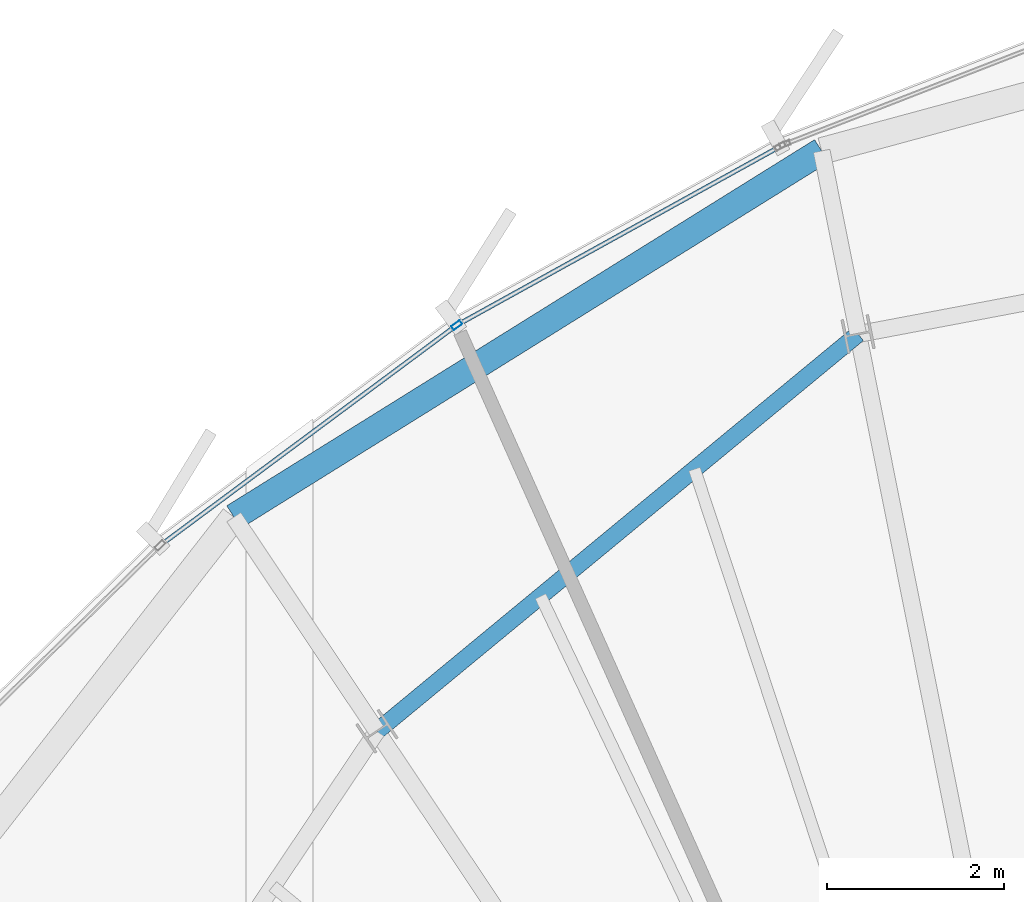
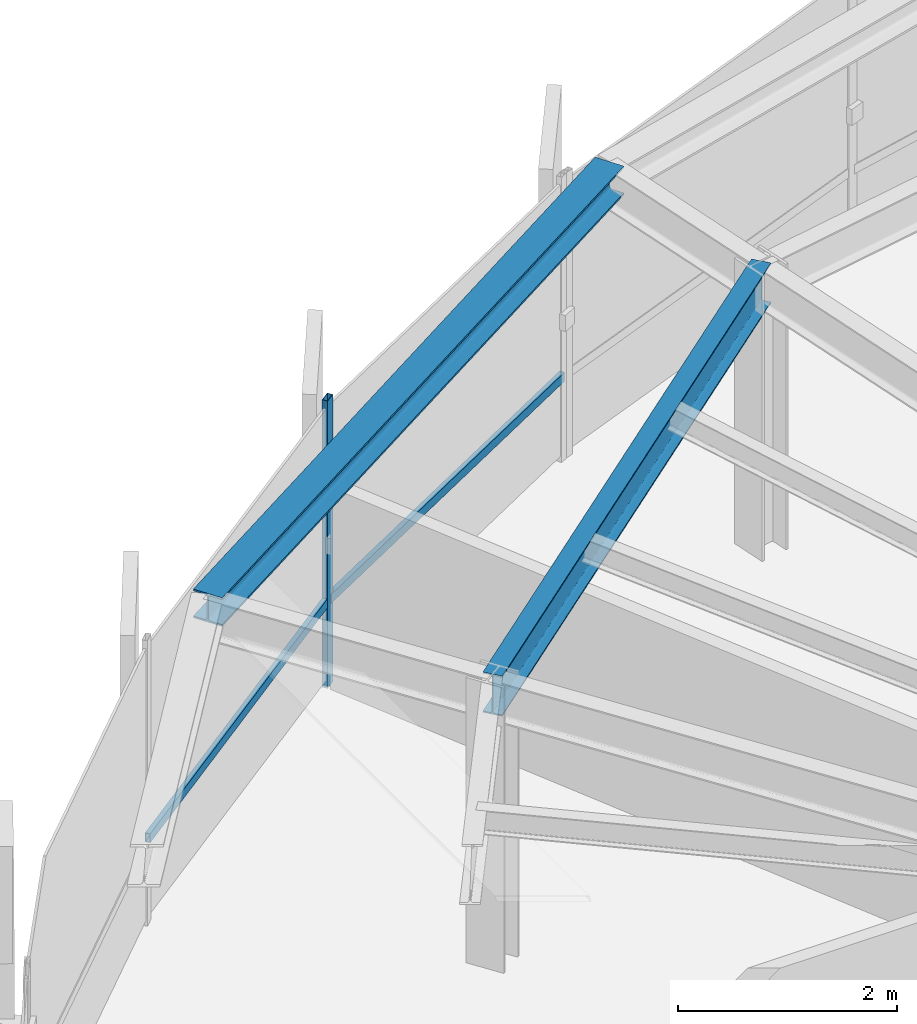
# One storey, part 20 of 34: 3 members, 2 beams, 1 element without a shape of its own.
"""IFC4 building model written with IfcOpenShell, lengths in metres."""

from ifc_helpers import new_model, si_unit, direction, frame, origin, origin_2d, place, context, subcontext, project, spatial, hollow_rectangle, i_section, extrude, source, transform, mapped, material, layer, layer_set, material_profile, profile_set, type_object, element, aggregate, save


model = new_model("IFC4")

# Units and contexts
model_context = context("Model", 3, precision=1e-05, world=origin(), true_north=direction((0.0, 1.0)))
body_context = subcontext(model_context, "Body", "Model", "MODEL_VIEW")
ifc_project = project(units=[si_unit("LENGTHUNIT", "METRE"), si_unit("AREAUNIT", "SQUARE_METRE"), si_unit("VOLUMEUNIT", "CUBIC_METRE"), si_unit("PLANEANGLEUNIT", "RADIAN"), si_unit("MASSUNIT", "GRAM", prefix="KILO"), si_unit("THERMODYNAMICTEMPERATUREUNIT", "KELVIN")], contexts=[model_context])

# Site, building, storey
site_placement = place(None, origin())
site = spatial("IfcSite", under=ifc_project, at=site_placement, CompositionType="ELEMENT")
building_placement = place(site_placement, origin())
building = spatial("IfcBuilding", under=site, at=building_placement, Name="Kethvar Cultural Tower", CompositionType="ELEMENT")
storey_placement = place(building_placement, frame((0.0, 0.0, 231.85009765625)))
storey = spatial("IfcBuildingStorey", under=building, at=storey_placement, Name="L60", CompositionType="ELEMENT", Elevation=231.85009765625)

# Beams
ifc_material_1 = material(Name="Steel S355J2", Category="steel")
ifc_material_profile_1 = material_profile(ifc_material_1, i_section(OverallWidth=0.18994140625, OverallDepth=0.449951171875, WebThickness=0.009521484375, FlangeThickness=0.0146484375, FilletRadius=0.02099609375, at=origin_2d()), Name="Steel S355J2 — IPE450")
ifc_profile_set_1 = profile_set([ifc_material_profile_1], Name="Steel S355J2 — IPE450")
beam_type_1 = type_object("IfcBeamType", Name="BM-IPE450", PredefinedType="BEAM", material=ifc_profile_set_1)
shared_shape_1 = source(origin(), body_context, "Body", "SweptSolid", [
    extrude(i_section(OverallWidth=0.18994140625, OverallDepth=0.449951171875, WebThickness=0.009521484375, FlangeThickness=0.0146484375, FilletRadius=0.02099609375, at=origin_2d()), origin(), (0.0, 0.0, 1.0), 7.03271484375),
])
beam_1_placement = place(storey_placement, frame((43.23291015625, 45.732421875, 2.98291015625), z_axis=(-0.771161072103, -0.636640087391, 0.0), x_axis=(0.636640087391, -0.771161072103, 0.0)))
element("IfcBeam", 1, at=beam_1_placement, inside=storey, type_object=beam_type_1, Name="L60 Column Ring Tie Beam CR-05", PredefinedType="BEAM", context=body_context, shape_type="MappedRepresentation", body=[
    mapped(shared_shape_1, transform((0.0, 0.0, 0.0), scale=1.0)),
])
ifc_material_profile_2 = material_profile(ifc_material_1, i_section(OverallWidth=0.300048828125, OverallDepth=0.320068359375, WebThickness=0.011474609375, FlangeThickness=0.0205078125, FilletRadius=0.027099609375, at=origin_2d()), Name="Steel S355J2 — HEB320")
ifc_profile_set_2 = profile_set([ifc_material_profile_2], Name="Steel S355J2 — HEB320")
beam_type_2 = type_object("IfcBeamType", Name="BM-SP320", PredefinedType="SPANDREL", material=ifc_profile_set_2)
shared_shape_2 = source(origin(), body_context, "Body", "SweptSolid", [
    extrude(i_section(OverallWidth=0.300048828125, OverallDepth=0.320068359375, WebThickness=0.011474609375, FlangeThickness=0.0205078125, FilletRadius=0.027099609375, at=origin_2d()), origin(), (0.0, 0.0, 1.0), 7.806396484375),
])
beam_2_placement = place(storey_placement, frame((42.822265625, 47.797119140625, 3.0478515625), z_axis=(-0.848814292217, -0.528691117126, 0.0), x_axis=(0.528691117126, -0.848814292217, 0.0)))
element("IfcBeam", 2, at=beam_2_placement, inside=storey, type_object=beam_type_2, Name="L60 Perimeter Spandrel Beam SP-05", PredefinedType="SPANDREL", context=body_context, shape_type="MappedRepresentation", body=[
    mapped(shared_shape_2, transform((0.0, 0.0, 0.0), scale=1.0)),
])

# Curtain wall, members
ifc_material_2 = material(Name="Aluminium 6063-T6", Category="aluminium")
ifc_layer = layer(ifc_material_2, 0.179931640625, Name="Aluminium 6063-T6", Category="aluminium")
ifc_layer_set = layer_set([ifc_layer], Name="Aluminium 6063-T6 (180 mm)")
curtain_wall_type = type_object("IfcCurtainWallType", Name="CW-SYS-05-Z56", PredefinedType="NOTDEFINED", material=ifc_layer_set)
curtain_wall_placement = place(storey_placement, origin())
curtain_wall = element("IfcCurtainWall", 3, at=curtain_wall_placement, inside=storey, type_object=curtain_wall_type, Name="L60 Curtain Wall Run 02", PredefinedType="NOTDEFINED")
ifc_material_profile_3 = material_profile(ifc_material_2, hollow_rectangle(XDim=0.054931640625, YDim=0.1201171875, WallThickness=0.00390625, at=origin_2d()), Name="Aluminium 6063-T6 — RHS120x55x4")
ifc_profile_set_3 = profile_set([ifc_material_profile_3], Name="Aluminium 6063-T6 — RHS120x55x4")
member_type_1 = type_object("IfcMemberType", Name="CW-SYS-05-Z56-MUL", PredefinedType="MULLION", material=ifc_profile_set_3)
shared_shape_3 = source(origin(), body_context, "Body", "SweptSolid", [
    extrude(hollow_rectangle(XDim=0.054931640625, YDim=0.1201171875, WallThickness=0.00390625, at=origin_2d()), origin(), (0.0, 0.0, 1.0), 3.2099609375),
])
member_1_placement = place(storey_placement, frame((38.708984375, 45.8330078125, 0.0), z_axis=(0.0, 0.0, 1.0), x_axis=(0.596308942546, -0.802755034266, 0.0)))
member_1 = element("IfcMember", 4, at=member_1_placement, type_object=member_type_1, Name="CW-L60-R02 Mullion 2", PredefinedType="MULLION", context=body_context, shape_type="MappedRepresentation", body=[
    mapped(shared_shape_3, transform((0.0, 0.0, 0.0), scale=1.0)),
])
ifc_material_profile_4 = material_profile(ifc_material_2, hollow_rectangle(XDim=0.050048828125, YDim=0.10009765625, WallThickness=0.00390625, at=origin_2d()), Name="Aluminium 6063-T6 — RHS100x50x4")
ifc_profile_set_4 = profile_set([ifc_material_profile_4], Name="Aluminium 6063-T6 — RHS100x50x4")
member_type_2 = type_object("IfcMemberType", Name="CW-SYS-05-Z56-TRN", PredefinedType="USERDEFINED", material=ifc_profile_set_4)
shared_shape_4 = source(origin(), body_context, "Body", "SweptSolid", [
    extrude(hollow_rectangle(XDim=0.050048828125, YDim=0.10009765625, WallThickness=0.00390625, at=origin_2d()), origin(), (0.0, 0.0, 1.0), 4.136962890625),
])
member_2_placement = place(storey_placement, frame((42.352783203125, 47.846923828125, 0.949951171875), z_axis=(-0.875115933301, -0.483913322076, 0.0), x_axis=(0.483913322076, -0.875115933301, 0.0)))
member_2 = element("IfcMember", 5, at=member_2_placement, type_object=member_type_2, Name="CW-L60-R02 Transom 1", ObjectType="TRANSOM", PredefinedType="USERDEFINED", context=body_context, shape_type="MappedRepresentation", body=[
    mapped(shared_shape_4, transform((0.0, 0.0, 0.0), scale=1.0)),
])
shared_shape_5 = source(origin(), body_context, "Body", "SweptSolid", [
    extrude(hollow_rectangle(XDim=0.050048828125, YDim=0.10009765625, WallThickness=0.00390625, at=origin_2d()), origin(), (0.0, 0.0, 1.0), 4.1005859375),
])
member_3_placement = place(storey_placement, frame((38.67724609375, 45.809326171875, 0.949951171875), z_axis=(-0.802770719769, -0.596287826039, 0.0), x_axis=(0.596287826039, -0.802770719769, 0.0)))
member_3 = element("IfcMember", 6, at=member_3_placement, type_object=member_type_2, Name="CW-L60-R02 Transom 2", ObjectType="TRANSOM", PredefinedType="USERDEFINED", context=body_context, shape_type="MappedRepresentation", body=[
    mapped(shared_shape_5, transform((0.0, 0.0, 0.0), scale=1.0)),
])
aggregate(curtain_wall, [member_1, member_2, member_3])

save(model, "model.ifc")
